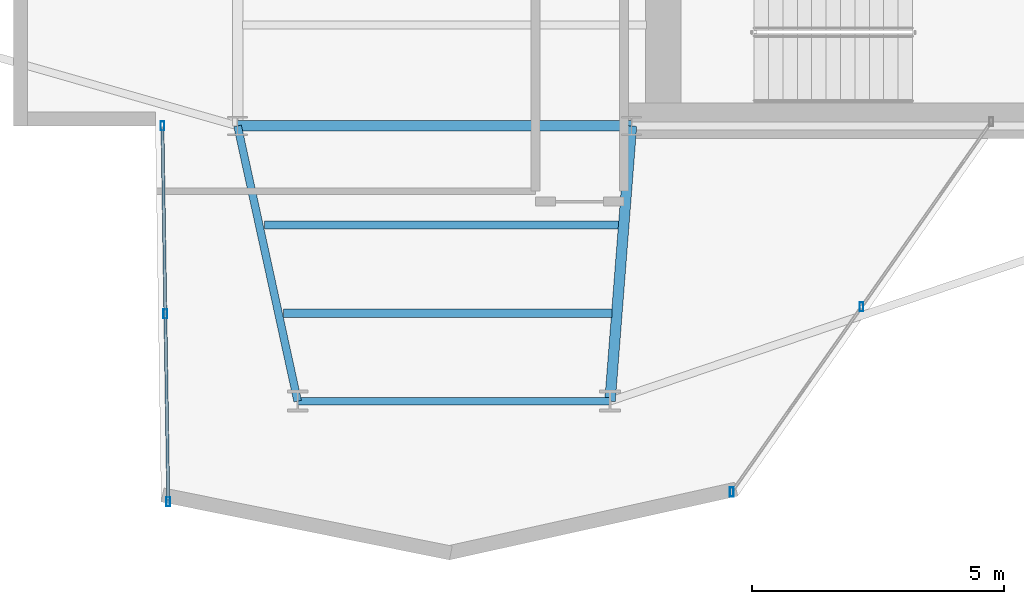
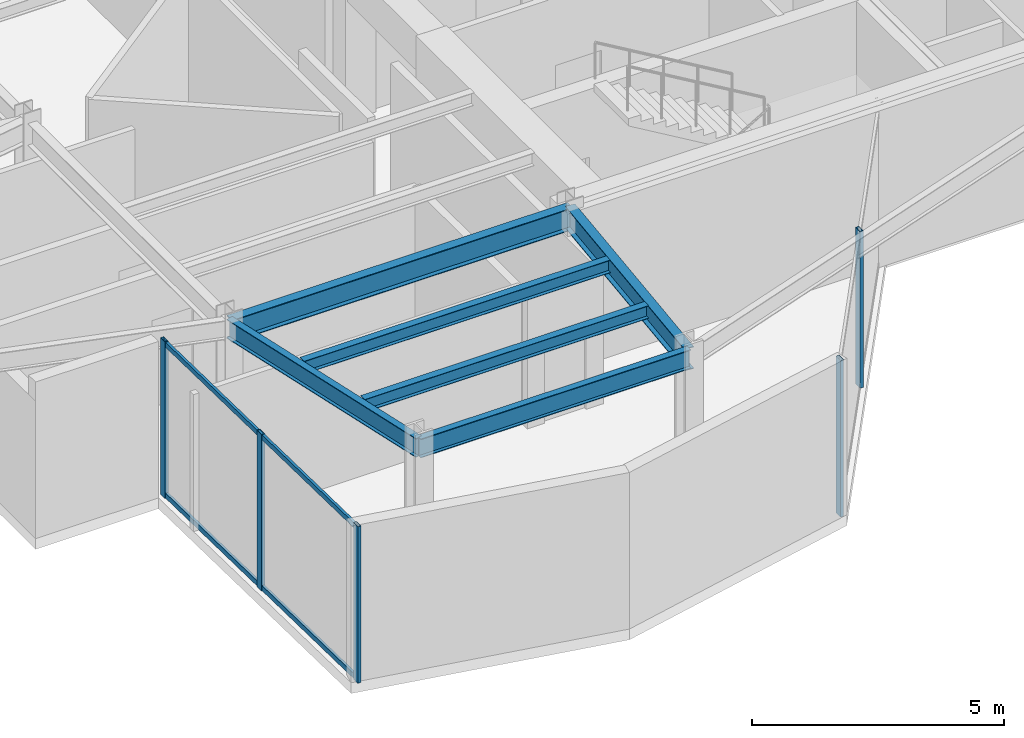
# One storey, part 6 of 22: 7 members, 6 beams, 2 elements without a shape of their own.
"""IFC4 building model written with IfcOpenShell, lengths in metres."""

from ifc_helpers import new_model, si_unit, direction, frame, origin, origin_2d, place, context, subcontext, project, spatial, hollow_rectangle, i_section, extrude, material, layer, layer_set, material_profile, profile_set, type_object, element, aggregate, save


model = new_model("IFC4")

# Units and contexts
model_context = context("Model", 3, precision=1e-05, world=origin(), true_north=direction((0.0, 1.0)))
body_context = subcontext(model_context, "Body", "Model", "MODEL_VIEW")
ifc_project = project(units=[si_unit("LENGTHUNIT", "METRE"), si_unit("AREAUNIT", "SQUARE_METRE"), si_unit("VOLUMEUNIT", "CUBIC_METRE"), si_unit("PLANEANGLEUNIT", "RADIAN"), si_unit("MASSUNIT", "GRAM", prefix="KILO")], contexts=[model_context])

# Site, building, storey
site_placement = place(None, origin())
site = spatial("IfcSite", under=ifc_project, at=site_placement, CompositionType="ELEMENT")
building_placement = place(site_placement, origin())
building = spatial("IfcBuilding", under=site, at=building_placement, Name="Veymaron Broadcast Tower", CompositionType="ELEMENT")
storey_placement = place(building_placement, frame((0.0, 0.0, 216.14990234375)))
storey = spatial("IfcBuildingStorey", under=building, at=storey_placement, Name="L50", CompositionType="ELEMENT", Elevation=216.14990234375)

# Beams
ifc_material_1 = material(Name="Structural steel ASTM A992 Gr 50", Category="steel")
ifc_material_profile_1 = material_profile(ifc_material_1, i_section(OverallWidth=0.2099609375, OverallDepth=0.537109375, WebThickness=0.010986328125, FlangeThickness=0.017333984375, at=origin_2d()), Name="W530X101")
ifc_profile_set_1 = profile_set([ifc_material_profile_1], Name="Structural steel ASTM A992 Gr 50")
beam_type_1 = type_object("IfcBeamType", Name="BM-FG3", PredefinedType="BEAM", material=ifc_profile_set_1)
beam_1_placement = place(storey_placement, frame((31.199951171875, 16.0, 3.521484375), z_axis=(1.0, 0.0, 0.0), x_axis=(0.0, 1.0, 0.0)))
element("IfcBeam", 1, at=beam_1_placement, inside=storey, type_object=beam_type_1, Name="L50 primary structural floor girder", PredefinedType="BEAM", context=body_context, shape_type="SweptSolid", body=[
    extrude(i_section(OverallWidth=0.2099609375, OverallDepth=0.537109375, WebThickness=0.010986328125, FlangeThickness=0.017333984375, at=origin_2d()), origin(), (0.0, 0.0, 1.0), 7.800048828125),
])
beam_2_placement = place(storey_placement, frame((39.0, 16.0, 3.521484375), z_axis=(-0.077755189345, -0.996972482333, 0.0), x_axis=(0.996972482333, -0.077755189345, 0.0)))
element("IfcBeam", 2, at=beam_2_placement, inside=storey, type_object=beam_type_1, Name="L50 primary structural floor girder", PredefinedType="BEAM", context=body_context, shape_type="SweptSolid", body=[
    extrude(i_section(OverallWidth=0.2099609375, OverallDepth=0.537109375, WebThickness=0.010986328125, FlangeThickness=0.017333984375, at=origin_2d()), origin(), (0.0, 0.0, 1.0), 5.466552734375),
])
ifc_material_profile_2 = material_profile(ifc_material_1, i_section(OverallWidth=0.1650390625, OverallDepth=0.31005859375, WebThickness=0.005859375, FlangeThickness=0.009765625, at=origin_2d()), Name="W310X39")
ifc_profile_set_2 = profile_set([ifc_material_profile_2], Name="Structural steel ASTM A992 Gr 50")
beam_type_2 = type_object("IfcBeamType", Name="BM-JS3", PredefinedType="JOIST", material=ifc_profile_set_2)
beam_3_placement = place(storey_placement, frame((31.728515625, 14.0380859375, 3.635009765625), z_axis=(1.0, 0.0, 0.0), x_axis=(0.0, 1.0, 0.0)))
element("IfcBeam", 3, at=beam_3_placement, inside=storey, type_object=beam_type_2, Name="L50 Arm-C secondary joist 1", PredefinedType="JOIST", context=body_context, shape_type="SweptSolid", body=[
    extrude(i_section(OverallWidth=0.1650390625, OverallDepth=0.31005859375, WebThickness=0.005859375, FlangeThickness=0.009765625, at=origin_2d()), origin(), (0.0, 0.0, 1.0), 7.0185546875),
])
beam_4_placement = place(storey_placement, frame((32.109130859375, 12.2939453125, 3.635009765625), z_axis=(1.0, 0.0, 0.0), x_axis=(0.0, 1.0, 0.0)))
element("IfcBeam", 4, at=beam_4_placement, inside=storey, type_object=beam_type_2, Name="L50 Arm-C secondary joist 2", PredefinedType="JOIST", context=body_context, shape_type="SweptSolid", body=[
    extrude(i_section(OverallWidth=0.1650390625, OverallDepth=0.31005859375, WebThickness=0.005859375, FlangeThickness=0.009765625, at=origin_2d()), origin(), (0.0, 0.0, 1.0), 6.501953125),
])
ifc_material_profile_3 = material_profile(ifc_material_1, i_section(OverallWidth=0.154052734375, OverallDepth=0.458984375, WebThickness=0.009033203125, FlangeThickness=0.015380859375, at=origin_2d()), Name="W460X68")
ifc_profile_set_3 = profile_set([ifc_material_profile_3], Name="Structural steel ASTM A992 Gr 50")
beam_type_3 = type_object("IfcBeamType", Name="BM-SP2", PredefinedType="SPANDREL", material=ifc_profile_set_3)
beam_5_placement = place(storey_placement, frame((31.199951171875, 16.0, 3.560546875), z_axis=(0.21331443187, -0.976983599226, 0.0), x_axis=(0.976983599226, 0.21331443187, 0.0)))
element("IfcBeam", 5, at=beam_5_placement, inside=storey, type_object=beam_type_3, Name="L50 primary structural floor girder", PredefinedType="SPANDREL", context=body_context, shape_type="SweptSolid", body=[
    extrude(i_section(OverallWidth=0.154052734375, OverallDepth=0.458984375, WebThickness=0.009033203125, FlangeThickness=0.015380859375, at=origin_2d()), origin(), (0.0, 0.0, 1.0), 5.578369140625),
])
beam_6_placement = place(storey_placement, frame((32.389892578125, 10.550048828125, 3.560546875), z_axis=(1.0, 0.0, 0.0), x_axis=(0.0, 1.0, 0.0)))
element("IfcBeam", 6, at=beam_6_placement, inside=storey, type_object=beam_type_3, Name="L50 primary structural floor girder", PredefinedType="SPANDREL", context=body_context, shape_type="SweptSolid", body=[
    extrude(i_section(OverallWidth=0.154052734375, OverallDepth=0.458984375, WebThickness=0.009033203125, FlangeThickness=0.015380859375, at=origin_2d()), origin(), (0.0, 0.0, 1.0), 6.18505859375),
])

# Curtain wall, members
ifc_material_2 = material(Name="Anodised aluminium AA 6063-T6 and laminated low-E dark glass", Category="aluminium")
ifc_layer = layer(ifc_material_2, 0.179931640625)
ifc_layer_set = layer_set([ifc_layer], Name="Anodised aluminium AA 6063-T6 and laminated low-E dark glass")
curtain_wall_type = type_object("IfcCurtainWallType", Name="CW-SYS-05", PredefinedType="NOTDEFINED", material=ifc_layer_set)
curtain_wall_1_placement = place(storey_placement, origin())
curtain_wall_1 = element("IfcCurtainWall", 7, at=curtain_wall_1_placement, inside=storey, type_object=curtain_wall_type, Name="L50 dark-glass curtain wall CW-L50-E17-1", PredefinedType="NOTDEFINED")
ifc_material_3 = material(Name="Anodised aluminium AA 6063-T6", Category="aluminium")
ifc_material_profile_4 = material_profile(ifc_material_3, hollow_rectangle(XDim=0.074951171875, YDim=0.179931640625, WallThickness=0.0048828125, at=origin_2d()), Name="AL180X75X5")
ifc_profile_set_4 = profile_set([ifc_material_profile_4], Name="Anodised aluminium AA 6063-T6")
member_type_1 = type_object("IfcMemberType", Name="CW-MUL-02", PredefinedType="MULLION", material=ifc_profile_set_4)
member_1_placement = place(storey_placement, frame((29.71240234375, 16.002197265625, 0.0), z_axis=(0.0, 0.0, 1.0), x_axis=(1.0, 0.0, 0.0)))
member_1 = element("IfcMember", 8, at=member_1_placement, type_object=member_type_1, Name="CW-L50-E17-1 mullion 0", PredefinedType="MULLION", context=body_context, shape_type="SweptSolid", body=[
    extrude(hollow_rectangle(XDim=0.074951171875, YDim=0.179931640625, WallThickness=0.0048828125, at=origin_2d()), origin(), (0.0, 0.0, 1.0), 3.7900390625),
])
member_2_placement = place(storey_placement, frame((29.77001953125, 12.27978515625, 0.0), z_axis=(0.0, 0.0, 1.0), x_axis=(1.0, 0.0, 0.0)))
member_2 = element("IfcMember", 9, at=member_2_placement, type_object=member_type_1, Name="CW-L50-E17-1 mullion 1", PredefinedType="MULLION", context=body_context, shape_type="SweptSolid", body=[
    extrude(hollow_rectangle(XDim=0.074951171875, YDim=0.179931640625, WallThickness=0.0048828125, at=origin_2d()), origin(), (0.0, 0.0, 1.0), 3.7900390625),
])
member_3_placement = place(storey_placement, frame((29.82763671875, 8.55712890625, 0.0), z_axis=(0.0, 0.0, 1.0), x_axis=(1.0, 0.0, 0.0)))
member_3 = element("IfcMember", 10, at=member_3_placement, type_object=member_type_1, Name="CW-L50-E17-1 mullion 2", PredefinedType="MULLION", context=body_context, shape_type="SweptSolid", body=[
    extrude(hollow_rectangle(XDim=0.074951171875, YDim=0.179931640625, WallThickness=0.0048828125, at=origin_2d()), origin(), (0.0, 0.0, 1.0), 3.7900390625),
])

curtain_wall_2_placement = place(storey_placement, origin())
curtain_wall_2 = element("IfcCurtainWall", 11, at=curtain_wall_2_placement, inside=storey, type_object=curtain_wall_type, Name="L50 dark-glass curtain wall CW-L50-E20-1", PredefinedType="NOTDEFINED")
member_4_placement = place(storey_placement, frame((40.98779296875, 8.750244140625, 0.0), z_axis=(0.0, 0.0, 1.0), x_axis=(1.0, 0.0, 0.0)))
member_4 = element("IfcMember", 12, at=member_4_placement, type_object=member_type_1, Name="CW-L50-E20-1 mullion 0", PredefinedType="MULLION", context=body_context, shape_type="SweptSolid", body=[
    extrude(hollow_rectangle(XDim=0.074951171875, YDim=0.179931640625, WallThickness=0.0048828125, at=origin_2d()), origin(), (0.0, 0.0, 1.0), 3.7900390625),
])
member_5_placement = place(storey_placement, frame((43.55615234375, 12.415283203125, 0.0), z_axis=(0.0, 0.0, 1.0), x_axis=(1.0, 0.0, 0.0)))
member_5 = element("IfcMember", 13, at=member_5_placement, type_object=member_type_1, Name="CW-L50-E20-1 mullion 1", PredefinedType="MULLION", context=body_context, shape_type="SweptSolid", body=[
    extrude(hollow_rectangle(XDim=0.074951171875, YDim=0.179931640625, WallThickness=0.0048828125, at=origin_2d()), origin(), (0.0, 0.0, 1.0), 3.7900390625),
])
aggregate(curtain_wall_2, [member_4, member_5])

# Member
ifc_material_profile_5 = material_profile(ifc_material_3, hollow_rectangle(XDim=0.06005859375, YDim=0.1201171875, WallThickness=0.00390625, at=origin_2d()), Name="AL120X60X4")
ifc_profile_set_5 = profile_set([ifc_material_profile_5], Name="Anodised aluminium AA 6063-T6")
member_type_2 = type_object("IfcMemberType", Name="CW-TRN-02", PredefinedType="USERDEFINED", material=ifc_profile_set_5)
member_6_placement = place(storey_placement, frame((29.713134765625, 15.9521484375, 0.070068359375), z_axis=(0.015487588765, -0.999880060104, 0.0), x_axis=(0.999880060104, 0.015487588765, 0.0)))
member_6 = element("IfcMember", 14, at=member_6_placement, type_object=member_type_2, Name="CW-L50-E17-1 transom B", ObjectType="TRANSOM", PredefinedType="USERDEFINED", context=body_context, shape_type="SweptSolid", body=[
    extrude(hollow_rectangle(XDim=0.06005859375, YDim=0.1201171875, WallThickness=0.00390625, at=origin_2d()), origin(), (0.0, 0.0, 1.0), 7.345947265625),
])

member_7_placement = place(storey_placement, frame((29.713134765625, 15.9521484375, 3.72021484375), z_axis=(0.015487588765, -0.999880060104, 0.0), x_axis=(0.999880060104, 0.015487588765, 0.0)))
member_7 = element("IfcMember", 15, at=member_7_placement, type_object=member_type_2, Name="CW-L50-E17-1 transom T", ObjectType="TRANSOM", PredefinedType="USERDEFINED", context=body_context, shape_type="SweptSolid", body=[
    extrude(hollow_rectangle(XDim=0.06005859375, YDim=0.1201171875, WallThickness=0.00390625, at=origin_2d()), origin(), (0.0, 0.0, 1.0), 7.345947265625),
])

aggregate(curtain_wall_1, [member_1, member_2, member_3, member_6, member_7])

save(model, "model.ifc")
